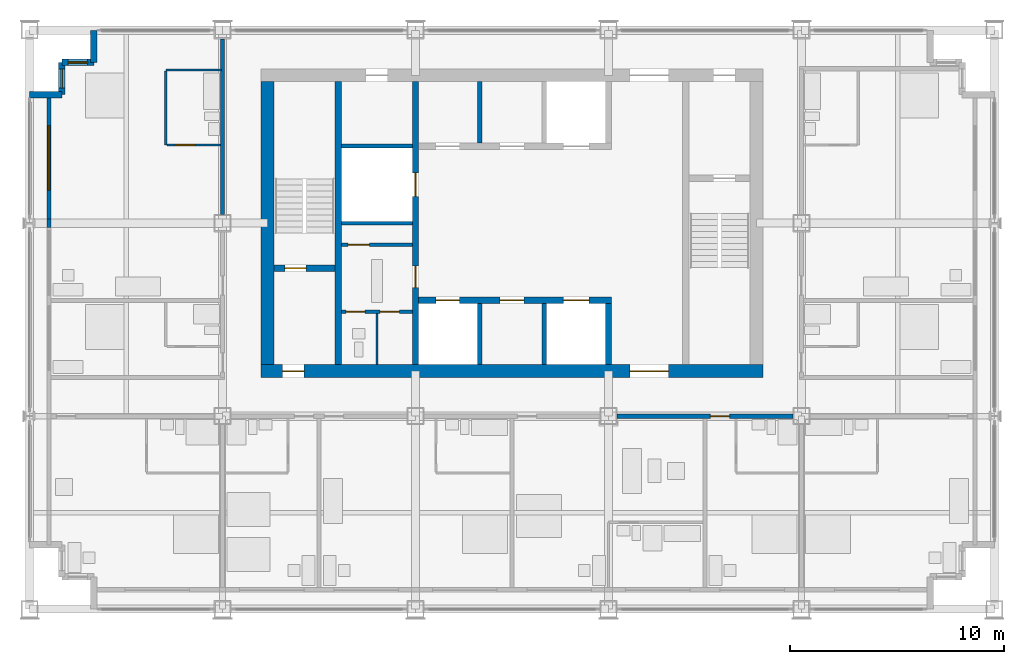
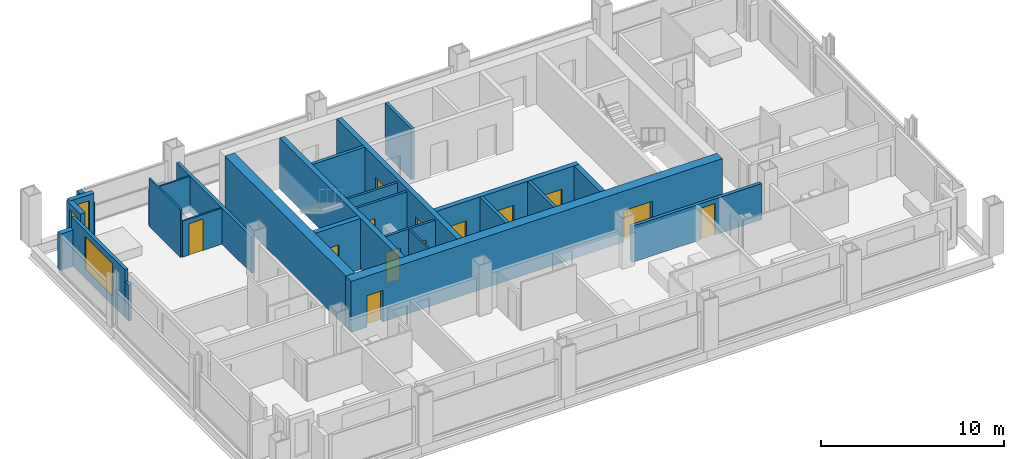
# One storey, part 8 of 13: 26 walls, 13 doors, 3 windows, 16 openings.
"""IFC4 building model written with IfcOpenShell, lengths in metres."""

import ifcopenshell
import ifcopenshell.guid

model = None  # the IFC model being written
_history = None  # IfcOwnerHistory: only IFC2X3 demands one
_inside = {}  # id of a spatial element -> (the spatial element, [elements in it])
_under = {}  # id of a project, library or spatial element -> (it, [spatial elements below it])
_declared = {}  # id of a project -> (the project, [libraries it declares])
_typed = {}  # id of a type object -> (the type object, [elements of that type])
_made_of = {}  # id of a material, layer set ... -> (it, [elements and type objects made of it])


def new_model(schema):
    """Start an empty IFC model of exactly this schema.

    Asked for "IFC4X3", IfcOpenShell would pick the latest addendum, in which some entities
    have other attributes; the version numbers below select the first issue.
    IFC2X3 requires an IfcOwnerHistory on every rooted entity: one is made here for all.
    """
    global model, _history
    if schema == "IFC4X3":
        model = ifcopenshell.file(schema_version=(4, 3, 0, 0))
    else:
        model = ifcopenshell.file(schema=schema)
    _inside.clear()
    _under.clear()
    _declared.clear()
    _typed.clear()
    _made_of.clear()
    _history = None
    if model.schema == "IFC2X3":
        org = make("IfcOrganization", Name="unknown")
        user = make(
            "IfcPersonAndOrganization",
            ThePerson=make("IfcPerson", FamilyName="unknown"),
            TheOrganization=org,
        )
        app = make(
            "IfcApplication",
            ApplicationDeveloper=org,
            Version="unknown",
            ApplicationFullName="unknown",
            ApplicationIdentifier="unknown",
        )
        _history = make(
            "IfcOwnerHistory",
            OwningUser=user,
            OwningApplication=app,
            ChangeAction="ADDED",
            CreationDate=0,
        )
    return model


def make(cls, **values):
    """One entity of the class cls with the attributes given. An attribute that is None is left unset."""
    return model.create_entity(
        cls, **{name: value for name, value in values.items() if value is not None}
    )


def rooted(cls, **values):
    """An entity with a GlobalId (a new one), such as an element, a storey or a relation."""
    return make(cls, GlobalId=ifcopenshell.guid.new(), OwnerHistory=_history, **values)


def si_unit(unit_type, name, prefix=None):
    """IfcSIUnit, for example si_unit("LENGTHUNIT", "METRE", prefix="MILLI")."""
    return make("IfcSIUnit", UnitType=unit_type, Prefix=prefix, Name=name)


def assignment(units):
    """IfcUnitAssignment: the units of a project."""
    return None if units is None else make("IfcUnitAssignment", Units=units)


def point(xyz):
    """IfcCartesianPoint."""
    return None if xyz is None else make("IfcCartesianPoint", Coordinates=xyz)


def direction(xyz):
    """IfcDirection."""
    return None if xyz is None else make("IfcDirection", DirectionRatios=xyz)


def frame(location, z_axis=None, x_axis=None):
    """IfcAxis2Placement3D, a coordinate frame: its origin and axes. An axis left out is left unset."""
    return make(
        "IfcAxis2Placement3D",
        Location=point(location),
        Axis=direction(z_axis),
        RefDirection=direction(x_axis),
    )


def frame_2d(location, x_axis=None):
    """IfcAxis2Placement2D, a coordinate frame in the plane: its origin and x axis."""
    return make(
        "IfcAxis2Placement2D", Location=point(location), RefDirection=direction(x_axis)
    )


def origin():
    """The frame at (0, 0, 0) with its axes left unset."""
    return frame((0.0, 0.0, 0.0))


def place(relative_to, where):
    """IfcLocalPlacement: puts the frame where relative to a parent placement (None: the world)."""
    return make(
        "IfcLocalPlacement", PlacementRelTo=relative_to, RelativePlacement=where
    )


def context(
    kind, dimensions, precision=None, world=None, true_north=None, identifier=None
):
    """IfcGeometricRepresentationContext, for example the 3D "Model" context."""
    return make(
        "IfcGeometricRepresentationContext",
        ContextIdentifier=identifier,
        ContextType=kind,
        CoordinateSpaceDimension=dimensions,
        Precision=precision,
        WorldCoordinateSystem=world,
        TrueNorth=true_north,
    )


def subcontext(parent, identifier, kind, view, scale=None):
    """IfcGeometricRepresentationSubContext, for example "Body" below "Model"."""
    return make(
        "IfcGeometricRepresentationSubContext",
        ContextIdentifier=identifier,
        ContextType=kind,
        ParentContext=parent,
        TargetScale=scale,
        TargetView=view,
    )


def project(units=None, contexts=None):
    """IfcProject with its units and contexts."""
    return rooted(
        "IfcProject",
        Name="project",
        RepresentationContexts=contexts,
        UnitsInContext=assignment(units),
    )


def spatial(cls, under=None, at=None, **own):
    """A site, building, storey or space (cls), placed at a placement, below another one or the project."""
    s = rooted(cls, ObjectPlacement=at, **own)
    if under is not None:
        _under.setdefault(under.id(), (under, []))[1].append(s)
    return s


def profile(cls, at=None, kind="AREA", **sizes):
    """A parametric profile (cls). Its sizes go by their IFC names, for example OverallWidth=200.0."""
    return make(cls, ProfileType=kind, Position=at, **sizes)


def rectangle(**sizes):
    """IfcRectangleProfileDef."""
    return profile("IfcRectangleProfileDef", **sizes)


def extrude(swept, where, along, depth):
    """IfcExtrudedAreaSolid: the profile swept, set in the frame where, extruded along a direction by depth."""
    return make(
        "IfcExtrudedAreaSolid",
        SweptArea=swept,
        Position=where,
        ExtrudedDirection=direction(along),
        Depth=depth,
    )


def shape(context_of_items, identifier, shape_type, items):
    """IfcShapeRepresentation: the items that make up one representation, for example the "Body"."""
    return make(
        "IfcShapeRepresentation",
        ContextOfItems=context_of_items,
        RepresentationIdentifier=identifier,
        RepresentationType=shape_type,
        Items=items,
    )


def material(Name=None, Category=None):
    """IfcMaterial."""
    return make("IfcMaterial", Name=Name, Category=Category)


def layer(
    of_material, thickness, ventilated=None, Name=None, Category=None, Priority=None
):
    """IfcMaterialLayer: one layer of a wall or slab, of a material (None: an air gap)."""
    return make(
        "IfcMaterialLayer",
        Material=of_material,
        LayerThickness=thickness,
        IsVentilated=ventilated,
        Name=Name,
        Category=Category,
        Priority=Priority,
    )


def layer_set(layers, Name=None):
    """IfcMaterialLayerSet."""
    return make("IfcMaterialLayerSet", MaterialLayers=layers, LayerSetName=Name)


def made_of(thing, what):
    """Note that an element or type object is made of a material, layer set ...; save() writes the relation."""
    if what is not None:
        _made_of.setdefault(what.id(), (what, []))[1].append(thing)
    return thing


def type_object(cls, material=None, **own):
    """A type object (cls), such as IfcWallType, which elements share."""
    return made_of(rooted(cls, **own), material)


def element(
    cls,
    number,
    at=None,
    inside=None,
    cuts=None,
    type_object=None,
    material=None,
    context=None,
    identifier="Body",
    shape_type=None,
    held_by="IfcProductDefinitionShape",
    body=None,
    shapes=None,
    **own,
):
    """One element of the class cls, such as IfcWall. Its Tag is "e" and its number.

    at: its placement. inside: the storey or other place that contains it. cuts: it is an
    opening in that element (IfcRelVoidsElement). A single representation is given by context,
    identifier, shape_type and body (its items); several are given by shapes. held_by: the class
    of the entity that holds the representations. save() writes the other relations.
    """
    e = rooted(cls, Tag="e%d" % number, ObjectPlacement=at, **own)
    if body is not None:
        shapes = [shape(context, identifier, shape_type, body)]
    if shapes is not None:
        e.Representation = make(held_by, Representations=shapes)
    if inside is not None:
        _inside.setdefault(inside.id(), (inside, []))[1].append(e)
    if cuts is not None:
        rooted(
            "IfcRelVoidsElement", RelatingBuildingElement=cuts, RelatedOpeningElement=e
        )
    if type_object is not None:
        _typed.setdefault(type_object.id(), (type_object, []))[1].append(e)
    return made_of(e, material)


def fill(opening, filler):
    """IfcRelFillsElement: the door or window that sits in an opening."""
    return rooted(
        "IfcRelFillsElement",
        RelatingOpeningElement=opening,
        RelatedBuildingElement=filler,
    )


def aggregate(whole, parts):
    """IfcRelAggregates: a whole, such as a stair, and the parts it consists of."""
    return rooted("IfcRelAggregates", RelatingObject=whole, RelatedObjects=parts)


def save(model, path):
    """Write the relations noted so far, then the file.

    IfcRelAggregates (storeys below a building ...), IfcRelContainedInSpatialStructure (elements
    in a storey), IfcRelDefinesByType, IfcRelAssociatesMaterial and IfcRelDeclares: one each for
    every whole, place, type object, material and project.
    """
    for whole, parts in _under.values():
        aggregate(whole, parts)
    for where, things in _inside.values():
        rooted(
            "IfcRelContainedInSpatialStructure",
            RelatedElements=things,
            RelatingStructure=where,
        )
    for kind, things in _typed.values():
        rooted("IfcRelDefinesByType", RelatedObjects=things, RelatingType=kind)
    for what, things in _made_of.values():
        rooted("IfcRelAssociatesMaterial", RelatedObjects=things, RelatingMaterial=what)
    for by, libraries in _declared.values():
        rooted("IfcRelDeclares", RelatingContext=by, RelatedDefinitions=libraries)
    model.write(path)


model = new_model("IFC4")

# Units and contexts
model_context = context("Model", 3, precision=1e-05, world=origin(), true_north=direction((0.0, 1.0)))
body_context = subcontext(model_context, "Body", "Model", "MODEL_VIEW")
ifc_project = project(units=[si_unit("LENGTHUNIT", "METRE"), si_unit("AREAUNIT", "SQUARE_METRE"), si_unit("VOLUMEUNIT", "CUBIC_METRE"), si_unit("PLANEANGLEUNIT", "RADIAN"), si_unit("MASSUNIT", "GRAM", prefix="KILO")], contexts=[model_context])

# Site, building, storey
site_placement = place(None, origin())
site = spatial("IfcSite", under=ifc_project, at=site_placement, CompositionType="ELEMENT")
building_placement = place(site_placement, origin())
building = spatial("IfcBuilding", under=site, at=building_placement, Name="Loomwork Tower", CompositionType="ELEMENT")
storey_placement = place(building_placement, frame((0.0, 0.0, 204.60009765625)))
storey = spatial("IfcBuildingStorey", under=building, at=storey_placement, Name="L56", CompositionType="ELEMENT", Elevation=204.60009765625)

# Wall
ifc_material_1 = material(Name="Concrete 14000 psi (97 MPa)", Category="concrete")
ifc_layer_1 = layer(ifc_material_1, 0.300048828125)
ifc_layer_set_1 = layer_set([ifc_layer_1], Name="Core shear wall 300")
wall_type_1 = type_object("IfcWallType", Name="Core shear wall 300", PredefinedType="SHEAR", material=ifc_layer_set_1)
wall_1_placement = place(storey_placement, frame((14.39990234375, 11.39990234375, 0.0), z_axis=(0.0, 0.0, 1.0), x_axis=(0.0, 1.0, 0.0)))
element("IfcWall", 1, at=wall_1_placement, inside=storey, type_object=wall_type_1, Name="Stair A east wall L56", PredefinedType="SHEAR", context=body_context, shape_type="SweptSolid", body=[
    extrude(rectangle(XDim=13.2001953125, YDim=0.300048828125, at=frame_2d((6.60009765625, 0.0))), origin(), (0.0, 0.0, 1.0), 3.39990234375),
])

# Wall, opening, door
wall_2_placement = place(storey_placement, frame((11.39990234375, 15.89990234375, 0.0), z_axis=(0.0, 0.0, 1.0), x_axis=(1.0, 0.0, 0.0)))
wall_2 = element("IfcWall", 2, at=wall_2_placement, inside=storey, type_object=wall_type_1, Name="Stair A south wall L56", PredefinedType="SHEAR", context=body_context, shape_type="SweptSolid", body=[
    extrude(rectangle(XDim=2.85009765625, YDim=0.300048828125, at=frame_2d((1.425048828125, 0.0))), origin(), (0.0, 0.0, 1.0), 3.39990234375),
])
opening_1_placement = place(wall_2_placement, frame((0.5, 0.0, 0.0)))
opening_1 = element("IfcOpeningElement", 3, at=opening_1_placement, cuts=wall_2, Name="Opening D4", PredefinedType="OPENING", context=body_context, shape_type="SweptSolid", body=[
    extrude(rectangle(XDim=1.0, YDim=2.10009765625, at=frame_2d((0.5, 1.050048828125))), frame((0.0, 0.159912109375, 0.0), z_axis=(0.0, -1.0, 0.0), x_axis=(1.0, 0.0, 0.0)), (0.0, 0.0, 1.0), 0.320068359375),
])
ifc_material_2 = material(Name="Hollow metal door and frame")
door_type_1 = type_object("IfcDoorType", Name="Stair door 1000", OperationType="SINGLE_SWING_RIGHT", PredefinedType="DOOR", material=ifc_material_2)
door_1_placement = place(opening_1_placement, origin())
door_1 = element("IfcDoor", 4, at=door_1_placement, inside=storey, type_object=door_type_1, Name="Stair A door", OperationType="SINGLE_SWING_LEFT", OverallHeight=2.10009765625, OverallWidth=1.0, PredefinedType="DOOR", context=body_context, shape_type="SweptSolid", body=[
    extrude(rectangle(XDim=1.0, YDim=2.10009765625, at=frame_2d((0.5, 1.050048828125))), frame((0.0, 0.02490234375, 0.0), z_axis=(0.0, -1.0, 0.0), x_axis=(1.0, 0.0, 0.0)), (0.0, 0.0, 1.0), 0.050048828125),
])
fill(opening_1, door_1)

# Wall, openings, doors
wall_3_placement = place(storey_placement, frame((18.0, 11.39990234375, 0.0), z_axis=(0.0, 0.0, 1.0), x_axis=(0.0, 1.0, 0.0)))
wall_3 = element("IfcWall", 5, at=wall_3_placement, inside=storey, type_object=wall_type_1, Name="Lobby west wall L56", PredefinedType="SHEAR", context=body_context, shape_type="SweptSolid", body=[
    extrude(rectangle(XDim=13.2001953125, YDim=0.300048828125, at=frame_2d((6.60009765625, 0.0))), origin(), (0.0, 0.0, 1.0), 3.39990234375),
])
opening_2_placement = place(wall_3_placement, frame((3.60009765625, 0.0, 0.0)))
opening_2 = element("IfcOpeningElement", 6, at=opening_2_placement, cuts=wall_3, Name="Opening D5", PredefinedType="OPENING", context=body_context, shape_type="SweptSolid", body=[
    extrude(rectangle(XDim=1.0, YDim=2.10009765625, at=frame_2d((0.5, 1.050048828125))), frame((0.0, 0.159912109375, 0.0), z_axis=(0.0, -1.0, 0.0), x_axis=(1.0, 0.0, 0.0)), (0.0, 0.0, 1.0), 0.320068359375),
])
opening_3_placement = place(wall_3_placement, frame((7.85009765625, 0.0, 0.0)))
opening_3 = element("IfcOpeningElement", 7, at=opening_3_placement, cuts=wall_3, Name="Opening LD1", PredefinedType="OPENING", context=body_context, shape_type="SweptSolid", body=[
    extrude(rectangle(XDim=1.10009765625, YDim=2.10009765625, at=frame_2d((0.550048828125, 1.050048828125))), frame((0.0, 0.159912109375, 0.0), z_axis=(0.0, -1.0, 0.0), x_axis=(1.0, 0.0, 0.0)), (0.0, 0.0, 1.0), 0.320068359375),
])
ifc_material_3 = material(Name="Hollow metal door and frame")
door_type_2 = type_object("IfcDoorType", Name="Lift landing door 1100", OperationType="SLIDING_TO_LEFT", PredefinedType="DOOR", material=ifc_material_3)
door_2_placement = place(opening_3_placement, origin())
door_2 = element("IfcDoor", 8, at=door_2_placement, inside=storey, type_object=door_type_2, Name="Lift landing door LC2", OperationType="SLIDING_TO_LEFT", OverallHeight=2.10009765625, OverallWidth=1.10009765625, PredefinedType="DOOR", context=body_context, shape_type="SweptSolid", body=[
    extrude(rectangle(XDim=1.10009765625, YDim=2.10009765625, at=frame_2d((0.550048828125, 1.050048828125))), frame((0.0, 0.02490234375, 0.0), z_axis=(0.0, -1.0, 0.0), x_axis=(1.0, 0.0, 0.0)), (0.0, 0.0, 1.0), 0.050048828125),
])
fill(opening_3, door_2)
ifc_material_4 = material(Name="Hollow metal door and frame")
door_type_3 = type_object("IfcDoorType", Name="Service door 1000", OperationType="SINGLE_SWING_LEFT", PredefinedType="DOOR", material=ifc_material_4)
door_3_placement = place(opening_2_placement, origin())
door_3 = element("IfcDoor", 9, at=door_3_placement, inside=storey, type_object=door_type_3, Name="Back-of-house door south", OperationType="SINGLE_SWING_LEFT", OverallHeight=2.10009765625, OverallWidth=1.0, PredefinedType="DOOR", context=body_context, shape_type="SweptSolid", body=[
    extrude(rectangle(XDim=1.0, YDim=2.10009765625, at=frame_2d((0.5, 1.050048828125))), frame((0.0, 0.02490234375, 0.0), z_axis=(0.0, -1.0, 0.0), x_axis=(1.0, 0.0, 0.0)), (0.0, 0.0, 1.0), 0.050048828125),
])
fill(opening_2, door_3)

wall_4_placement = place(storey_placement, frame((18.14990234375, 14.39990234375, 0.0), z_axis=(0.0, 0.0, 1.0), x_axis=(1.0, 0.0, 0.0)))
wall_4 = element("IfcWall", 10, at=wall_4_placement, inside=storey, type_object=wall_type_1, Name="Lift front wall south L56", PredefinedType="SHEAR", context=body_context, shape_type="SweptSolid", body=[
    extrude(rectangle(XDim=9.0, YDim=0.300048828125, at=frame_2d((4.5, 0.0))), origin(), (0.0, 0.0, 1.0), 3.39990234375),
])
opening_4_placement = place(wall_4_placement, frame((0.800048828125, 0.0, 0.0)))
opening_4 = element("IfcOpeningElement", 11, at=opening_4_placement, cuts=wall_4, Name="Opening LD1", PredefinedType="OPENING", context=body_context, shape_type="SweptSolid", body=[
    extrude(rectangle(XDim=1.10009765625, YDim=2.10009765625, at=frame_2d((0.550048828125, 1.050048828125))), frame((0.0, 0.159912109375, 0.0), z_axis=(0.0, -1.0, 0.0), x_axis=(1.0, 0.0, 0.0)), (0.0, 0.0, 1.0), 0.320068359375),
])
opening_5_placement = place(wall_4_placement, frame((6.75, 0.0, 0.0)))
opening_5 = element("IfcOpeningElement", 12, at=opening_5_placement, cuts=wall_4, Name="Opening LD2", PredefinedType="OPENING", context=body_context, shape_type="SweptSolid", body=[
    extrude(rectangle(XDim=1.199951171875, YDim=2.10009765625, at=frame_2d((0.60009765625, 1.050048828125))), frame((0.0, 0.159912109375, 0.0), z_axis=(0.0, -1.0, 0.0), x_axis=(1.0, 0.0, 0.0)), (0.0, 0.0, 1.0), 0.320068359375),
])
opening_6_placement = place(wall_4_placement, frame((3.800048828125, 0.0, 0.0)))
opening_6 = element("IfcOpeningElement", 13, at=opening_6_placement, cuts=wall_4, Name="Opening D17", PredefinedType="OPENING", context=body_context, shape_type="SweptSolid", body=[
    extrude(rectangle(XDim=1.10009765625, YDim=2.10009765625, at=frame_2d((0.550048828125, 1.050048828125))), frame((0.0, 0.159912109375, 0.0), z_axis=(0.0, -1.0, 0.0), x_axis=(1.0, 0.0, 0.0)), (0.0, 0.0, 1.0), 0.320068359375),
])
door_4_placement = place(opening_4_placement, origin())
door_4 = element("IfcDoor", 14, at=door_4_placement, inside=storey, type_object=door_type_2, Name="Lift landing door LC1", OperationType="SLIDING_TO_LEFT", OverallHeight=2.10009765625, OverallWidth=1.10009765625, PredefinedType="DOOR", context=body_context, shape_type="SweptSolid", body=[
    extrude(rectangle(XDim=1.10009765625, YDim=2.10009765625, at=frame_2d((0.550048828125, 1.050048828125))), frame((0.0, 0.02490234375, 0.0), z_axis=(0.0, -1.0, 0.0), x_axis=(1.0, 0.0, 0.0)), (0.0, 0.0, 1.0), 0.050048828125),
])
fill(opening_4, door_4)
ifc_material_5 = material(Name="Hollow metal door and frame")
door_type_4 = type_object("IfcDoorType", Name="Lift landing door 1200", OperationType="SLIDING_TO_LEFT", PredefinedType="DOOR", material=ifc_material_5)
door_5_placement = place(opening_5_placement, origin())
door_5 = element("IfcDoor", 15, at=door_5_placement, inside=storey, type_object=door_type_4, Name="Lift landing door LF1", OperationType="SLIDING_TO_LEFT", OverallHeight=2.10009765625, OverallWidth=1.199951171875, PredefinedType="DOOR", context=body_context, shape_type="SweptSolid", body=[
    extrude(rectangle(XDim=1.199951171875, YDim=2.10009765625, at=frame_2d((0.60009765625, 1.050048828125))), frame((0.0, 0.02490234375, 0.0), z_axis=(0.0, -1.0, 0.0), x_axis=(1.0, 0.0, 0.0)), (0.0, 0.0, 1.0), 0.050048828125),
])
fill(opening_5, door_5)
ifc_material_6 = material(Name="Hollow metal door and frame")
door_type_5 = type_object("IfcDoorType", Name="Service room door 1100", OperationType="SINGLE_SWING_LEFT", PredefinedType="DOOR", material=ifc_material_6)
door_6_placement = place(opening_6_placement, frame((1.10009765625, 0.0, 0.0), z_axis=(0.0, 0.0, 1.0), x_axis=(-1.0, 0.0, 0.0)))
door_6 = element("IfcDoor", 16, at=door_6_placement, inside=storey, type_object=door_type_5, Name="IT and communications room door L56", OperationType="SINGLE_SWING_RIGHT", OverallHeight=2.10009765625, OverallWidth=1.10009765625, PredefinedType="DOOR", context=body_context, shape_type="SweptSolid", body=[
    extrude(rectangle(XDim=1.10009765625, YDim=2.10009765625, at=frame_2d((0.550048828125, 1.050048828125))), frame((0.0, 0.02490234375, 0.0), z_axis=(0.0, -1.0, 0.0), x_axis=(1.0, 0.0, 0.0)), (0.0, 0.0, 1.0), 0.050048828125),
])
fill(opening_6, door_6)

# Wall
wall_5_placement = place(storey_placement, frame((27.0, 11.39990234375, 0.0), z_axis=(0.0, 0.0, 1.0), x_axis=(0.0, 1.0, 0.0)))
element("IfcWall", 17, at=wall_5_placement, inside=storey, type_object=wall_type_1, Name="Lift shaft end wall south L56", PredefinedType="SHEAR", context=body_context, shape_type="SweptSolid", body=[
    extrude(rectangle(XDim=2.85009765625, YDim=0.300048828125, at=frame_2d((1.425048828125, 0.0))), origin(), (0.0, 0.0, 1.0), 3.39990234375),
])

# Wall, openings, doors
ifc_material_7 = material(Name="Concrete 14000 psi (97 MPa)", Category="concrete")
ifc_layer_2 = layer(ifc_material_7, 0.60009765625)
ifc_layer_set_2 = layer_set([ifc_layer_2], Name="Core shear wall 600")
wall_type_2 = type_object("IfcWallType", Name="Core shear wall 600", PredefinedType="SHEAR", material=ifc_layer_set_2)
wall_6_placement = place(storey_placement, frame((10.800048828125, 11.10009765625, 0.0), z_axis=(0.0, 0.0, 1.0), x_axis=(1.0, 0.0, 0.0)))
wall_6 = element("IfcWall", 18, at=wall_6_placement, inside=storey, type_object=wall_type_2, Name="Core wall south L56", PredefinedType="SHEAR", context=body_context, shape_type="SweptSolid", body=[
    extrude(rectangle(XDim=23.39990234375, YDim=0.60009765625, at=frame_2d((11.699951171875, 0.0))), origin(), (0.0, 0.0, 1.0), 3.39990234375),
])
opening_7_placement = place(wall_6_placement, frame((1.0, 0.0, 0.0)))
opening_7 = element("IfcOpeningElement", 19, at=opening_7_placement, cuts=wall_6, Name="Opening D4", PredefinedType="OPENING", context=body_context, shape_type="SweptSolid", body=[
    extrude(rectangle(XDim=1.0, YDim=2.10009765625, at=frame_2d((0.5, 1.050048828125))), frame((0.0, 0.31005859375, 0.0), z_axis=(0.0, -1.0, 0.0), x_axis=(1.0, 0.0, 0.0)), (0.0, 0.0, 1.0), 0.6201171875),
])
opening_8_placement = place(wall_6_placement, frame((17.199951171875, 0.0, 0.0)))
opening_8 = element("IfcOpeningElement", 20, at=opening_8_placement, cuts=wall_6, Name="Opening D6", PredefinedType="OPENING", context=body_context, shape_type="SweptSolid", body=[
    extrude(rectangle(XDim=1.800048828125, YDim=2.10009765625, at=frame_2d((0.89990234375, 1.050048828125))), frame((0.0, 0.31005859375, 0.0), z_axis=(0.0, -1.0, 0.0), x_axis=(1.0, 0.0, 0.0)), (0.0, 0.0, 1.0), 0.6201171875),
])
ifc_material_8 = material(Name="Hollow metal door and frame")
door_type_6 = type_object("IfcDoorType", Name="Lobby passage double door 1800", OperationType="DOUBLE_DOOR_SINGLE_SWING", PredefinedType="DOOR", material=ifc_material_8)
door_7_placement = place(opening_8_placement, origin())
door_7 = element("IfcDoor", 21, at=door_7_placement, inside=storey, type_object=door_type_6, Name="Lobby passage door south", OperationType="DOUBLE_DOOR_SINGLE_SWING", OverallHeight=2.10009765625, OverallWidth=1.800048828125, PredefinedType="DOOR", context=body_context, shape_type="SweptSolid", body=[
    extrude(rectangle(XDim=1.800048828125, YDim=2.10009765625, at=frame_2d((0.89990234375, 1.050048828125))), frame((0.0, 0.02490234375, 0.0), z_axis=(0.0, -1.0, 0.0), x_axis=(1.0, 0.0, 0.0)), (0.0, 0.0, 1.0), 0.050048828125),
])
fill(opening_8, door_7)
door_8_placement = place(opening_7_placement, origin())
door_8 = element("IfcDoor", 22, at=door_8_placement, inside=storey, type_object=door_type_1, Name="Stair A vestibule door", OperationType="SINGLE_SWING_LEFT", OverallHeight=2.10009765625, OverallWidth=1.0, PredefinedType="DOOR", context=body_context, shape_type="SweptSolid", body=[
    extrude(rectangle(XDim=1.0, YDim=2.10009765625, at=frame_2d((0.5, 1.050048828125))), frame((0.0, 0.02490234375, 0.0), z_axis=(0.0, -1.0, 0.0), x_axis=(1.0, 0.0, 0.0)), (0.0, 0.0, 1.0), 0.050048828125),
])
fill(opening_7, door_8)

# Wall
wall_7_placement = place(storey_placement, frame((11.10009765625, 11.39990234375, 0.0), z_axis=(0.0, 0.0, 1.0), x_axis=(0.0, 1.0, 0.0)))
element("IfcWall", 23, at=wall_7_placement, inside=storey, type_object=wall_type_2, Name="Core wall west L56", PredefinedType="SHEAR", context=body_context, shape_type="SweptSolid", body=[
    extrude(rectangle(XDim=13.2001953125, YDim=0.60009765625, at=frame_2d((6.60009765625, 0.0))), origin(), (0.0, 0.0, 1.0), 3.39990234375),
])

# Wall, opening, door
ifc_material_9 = material(Name="Gypsum board on steel studs, one-hour", Category="steel")
ifc_layer_3 = layer(ifc_material_9, 0.199951171875)
ifc_layer_set_3 = layer_set([ifc_layer_3], Name="Corridor wall 200")
wall_type_3 = type_object("IfcWallType", Name="Corridor wall 200", PredefinedType="PARTITIONING", material=ifc_layer_set_3)
wall_8_placement = place(storey_placement, frame((27.39990234375, 9.0, 0.0), z_axis=(0.0, 0.0, 1.0), x_axis=(1.0, 0.0, 0.0)))
wall_8 = element("IfcWall", 24, at=wall_8_placement, inside=storey, type_object=wall_type_3, Name="South corridor wall 4", PredefinedType="PARTITIONING", context=body_context, shape_type="SweptSolid", body=[
    extrude(rectangle(XDim=8.2001953125, YDim=0.199951171875, at=frame_2d((4.10009765625, 0.0))), origin(), (0.0, 0.0, 1.0), 2.40478515625),
])
opening_9_placement = place(wall_8_placement, frame((4.35009765625, 0.0, 0.0)))
opening_9 = element("IfcOpeningElement", 25, at=opening_9_placement, cuts=wall_8, Name="Opening D1", PredefinedType="OPENING", context=body_context, shape_type="SweptSolid", body=[
    extrude(rectangle(XDim=0.89990234375, YDim=2.10009765625, at=frame_2d((0.449951171875, 1.050048828125))), frame((0.0, 0.10986328125, 0.0), z_axis=(0.0, -1.0, 0.0), x_axis=(1.0, 0.0, 0.0)), (0.0, 0.0, 1.0), 0.219970703125),
])
ifc_material_10 = material(Name="Hollow metal door and frame")
door_type_7 = type_object("IfcDoorType", Name="Guest room entry door 900", OperationType="SINGLE_SWING_LEFT", PredefinedType="DOOR", material=ifc_material_10)
door_9_placement = place(opening_9_placement, frame((0.89990234375, 0.0, 0.0), z_axis=(0.0, 0.0, 1.0), x_axis=(-1.0, 0.0, 0.0)))
door_9 = element("IfcDoor", 26, at=door_9_placement, inside=storey, type_object=door_type_7, Name="Guest room entry door L56 5", OperationType="SINGLE_SWING_RIGHT", OverallHeight=2.10009765625, OverallWidth=0.89990234375, PredefinedType="DOOR", context=body_context, shape_type="SweptSolid", body=[
    extrude(rectangle(XDim=0.89990234375, YDim=2.10009765625, at=frame_2d((0.449951171875, 1.050048828125))), frame((0.0, 0.02490234375, 0.0), z_axis=(0.0, -1.0, 0.0), x_axis=(1.0, 0.0, 0.0)), (0.0, 0.0, 1.0), 0.050048828125),
])
fill(opening_9, door_9)

# Walls
wall_9_placement = place(storey_placement, frame((9.0, 18.39990234375, 0.0), z_axis=(0.0, 0.0, 1.0), x_axis=(0.0, 1.0, 0.0)))
element("IfcWall", 27, at=wall_9_placement, inside=storey, type_object=wall_type_3, Name="West corridor wall 2", PredefinedType="PARTITIONING", context=body_context, shape_type="SweptSolid", body=[
    extrude(rectangle(XDim=8.2001953125, YDim=0.199951171875, at=frame_2d((4.10009765625, 0.0))), origin(), (0.0, 0.0, 1.0), 2.40478515625),
])
ifc_material_11 = material(Name="Cement board on steel studs", Category="steel")
ifc_layer_4 = layer(ifc_material_11, 0.10009765625)
ifc_layer_set_4 = layer_set([ifc_layer_4], Name="En-suite partition 100")
wall_type_4 = type_object("IfcWallType", Name="En-suite partition 100", PredefinedType="PARTITIONING", material=ifc_layer_set_4)
wall_10_placement = place(storey_placement, frame((6.35009765625, 21.64990234375, 0.0), z_axis=(0.0, 0.0, 1.0), x_axis=(0.0, 1.0, 0.0)))
element("IfcWall", 28, at=wall_10_placement, inside=storey, type_object=wall_type_4, Name="En-suite wall L56 room 8", PredefinedType="PARTITIONING", context=body_context, shape_type="SweptSolid", body=[
    extrude(rectangle(XDim=3.4501953125, YDim=0.10009765625, at=frame_2d((1.72509765625, 0.0))), origin(), (0.0, 0.0, 1.0), 3.199951171875),
])

# Wall, opening, door
wall_11_placement = place(storey_placement, frame((8.89990234375, 21.64990234375, 0.0), z_axis=(0.0, 0.0, 1.0), x_axis=(-1.0, 0.0, 0.0)))
wall_11 = element("IfcWall", 29, at=wall_11_placement, inside=storey, type_object=wall_type_4, Name="En-suite side wall L56 room 8", PredefinedType="PARTITIONING", context=body_context, shape_type="SweptSolid", body=[
    extrude(rectangle(XDim=2.5, YDim=0.10009765625, at=frame_2d((1.25, 0.0))), origin(), (0.0, 0.0, 1.0), 2.40380859375),
])
opening_10_placement = place(wall_11_placement, frame((1.199951171875, 0.0, 0.0)))
opening_10 = element("IfcOpeningElement", 30, at=opening_10_placement, cuts=wall_11, Name="Opening D2", PredefinedType="OPENING", context=body_context, shape_type="SweptSolid", body=[
    extrude(rectangle(XDim=0.89990234375, YDim=2.10009765625, at=frame_2d((0.449951171875, 1.050048828125))), frame((0.0, 0.06005859375, 0.0), z_axis=(0.0, -1.0, 0.0), x_axis=(1.0, 0.0, 0.0)), (0.0, 0.0, 1.0), 0.1201171875),
])
ifc_material_12 = material(Name="Hollow metal door and frame")
door_type_8 = type_object("IfcDoorType", Name="En-suite door 900", OperationType="SINGLE_SWING_LEFT", PredefinedType="DOOR", material=ifc_material_12)
door_10_placement = place(opening_10_placement, frame((0.89990234375, 0.0, 0.0), z_axis=(0.0, 0.0, 1.0), x_axis=(-1.0, 0.0, 0.0)))
door_10 = element("IfcDoor", 31, at=door_10_placement, inside=storey, type_object=door_type_8, Name="En-suite door room 8", OperationType="SINGLE_SWING_LEFT", OverallHeight=2.10009765625, OverallWidth=0.89990234375, PredefinedType="DOOR", context=body_context, shape_type="SweptSolid", body=[
    extrude(rectangle(XDim=0.89990234375, YDim=2.10009765625, at=frame_2d((0.449951171875, 1.050048828125))), frame((0.0, 0.02490234375, 0.0), z_axis=(0.0, -1.0, 0.0), x_axis=(1.0, 0.0, 0.0)), (0.0, 0.0, 1.0), 0.050048828125),
])
fill(opening_10, door_10)

# Walls
wall_12_placement = place(storey_placement, frame((6.35009765625, 25.14990234375, 0.0), z_axis=(0.0, 0.0, 1.0), x_axis=(1.0, 0.0, 0.0)))
element("IfcWall", 32, at=wall_12_placement, inside=storey, type_object=wall_type_4, Name="En-suite wall L56 stub", PredefinedType="PARTITIONING", context=body_context, shape_type="SweptSolid", body=[
    extrude(rectangle(XDim=2.599853515625, YDim=0.10009765625, at=frame_2d((1.2998046875, 0.0))), origin(), (0.0, 0.0, 1.0), 2.40380859375),
])
wall_13_placement = place(storey_placement, frame((16.199951171875, 11.39990234375, 0.0), z_axis=(0.0, 0.0, 1.0), x_axis=(0.0, 1.0, 0.0)))
element("IfcWall", 33, at=wall_13_placement, inside=storey, type_object=wall_type_4, Name="Back-of-house partition L56 2", PredefinedType="PARTITIONING", context=body_context, shape_type="SweptSolid", body=[
    extrude(rectangle(XDim=2.400146484375, YDim=0.10009765625, at=frame_2d((1.2001953125, 0.0))), origin(), (0.0, 0.0, 1.0), 3.199951171875),
])
ifc_material_13 = material(Name="Insulated steel stud wall with gypsum lining", Category="steel")
ifc_layer_5 = layer(ifc_material_13, 0.199951171875)
ifc_layer_set_5 = layer_set([ifc_layer_5], Name="Inner skin wall 200")
wall_type_5 = type_object("IfcWallType", Name="Inner skin wall 200", PredefinedType="SOLIDWALL", material=ifc_layer_set_5)
wall_14_placement = place(storey_placement, frame((0.89990234375, 17.80615234375, 0.0), z_axis=(0.0, 0.0, 1.0), x_axis=(0.0, 1.0, 0.0)))
element("IfcWall", 34, at=wall_14_placement, inside=storey, type_object=wall_type_5, Name="Inner skin wall W bay 6", PredefinedType="SOLIDWALL", context=body_context, shape_type="SweptSolid", body=[
    extrude(rectangle(XDim=0.3876953125, YDim=0.199951171875, at=frame_2d((0.19384765625, 0.0))), origin(), (0.0, 0.0, 1.0), 2.40380859375),
])

# Wall, opening, window
wall_15_placement = place(storey_placement, frame((0.89990234375, 18.19384765625, 0.0), z_axis=(0.0, 0.0, 1.0), x_axis=(0.0, 1.0, 0.0)))
wall_15 = element("IfcWall", 35, at=wall_15_placement, inside=storey, type_object=wall_type_5, Name="Inner skin wall W bay 7", PredefinedType="SOLIDWALL", context=body_context, shape_type="SweptSolid", body=[
    extrude(rectangle(XDim=5.80615234375, YDim=0.199951171875, at=frame_2d((2.903076171875, 0.0))), origin(), (0.0, 0.0, 1.0), 3.199951171875),
])
opening_11_placement = place(wall_15_placement, frame((1.356201171875, 0.0, 0.60009765625)))
opening_11 = element("IfcOpeningElement", 36, at=opening_11_placement, cuts=wall_15, Name="Opening CH1", PredefinedType="OPENING", context=body_context, shape_type="SweptSolid", body=[
    extrude(rectangle(XDim=3.0, YDim=2.199951171875, at=frame_2d((1.5, 1.10009765625))), frame((0.0, 0.10986328125, 0.0), z_axis=(0.0, -1.0, 0.0), x_axis=(1.0, 0.0, 0.0)), (0.0, 0.0, 1.0), 0.219970703125),
])
ifc_material_14 = material(Name="Aluminium frame with clear insulated glass", Category="aluminium")
window_type_1 = type_object("IfcWindowType", Name="Chicago window 3000", PartitioningType="TRIPLE_PANEL_VERTICAL", PredefinedType="WINDOW", material=ifc_material_14)
window_1_placement = place(opening_11_placement, origin())
window_1 = element("IfcWindow", 37, at=window_1_placement, inside=storey, type_object=window_type_1, Name="Chicago window L56 bay 7", OverallHeight=2.199951171875, OverallWidth=3.0, PartitioningType="TRIPLE_PANEL_VERTICAL", PredefinedType="WINDOW", context=body_context, shape_type="SweptSolid", body=[
    extrude(rectangle(XDim=3.0, YDim=2.199951171875, at=frame_2d((1.5, 1.10009765625))), frame((0.0, 0.030029296875, 0.0), z_axis=(0.0, -1.0, 0.0), x_axis=(1.0, 0.0, 0.0)), (0.0, 0.0, 1.0), 0.06005859375),
])
fill(opening_11, window_1)

# Walls
ifc_material_15 = material(Name="Concrete 14000 psi (97 MPa)", Category="concrete")
ifc_layer_6 = layer(ifc_material_15, 0.199951171875)
ifc_layer_set_6 = layer_set([ifc_layer_6], Name="Lift shaft wall 200")
wall_type_6 = type_object("IfcWallType", Name="Lift shaft wall 200", PredefinedType="SHEAR", material=ifc_layer_set_6)
for number, where, z_axis, x_axis, name in (
    (38, (21.0, 11.39990234375, 0.0), (0.0, 0.0, 1.0), (0.0, 1.0, 0.0), "Lift shaft separation wall south 1 L56"),
    (39, (24.0, 11.39990234375, 0.0), (0.0, 0.0, 1.0), (0.0, 1.0, 0.0), "Lift shaft separation wall south 2 L56"),
    (40, (21.0, 21.75, 0.0), (0.0, 0.0, 1.0), (0.0, 1.0, 0.0), "Lift shaft separation wall north 1 L56"),
):
    element("IfcWall", number, at=place(storey_placement, frame(where, z_axis=z_axis, x_axis=x_axis)), inside=storey, type_object=wall_type_6, Name=name, PredefinedType="SHEAR", context=body_context, shape_type="SweptSolid", body=[
        extrude(rectangle(XDim=2.85009765625, YDim=0.199951171875, at=frame_2d((1.425048828125, 0.0))), origin(), (0.0, 0.0, 1.0), 3.39990234375),
    ])
wall_16_placement = place(storey_placement, frame((14.550048828125, 21.60009765625, 0.0), z_axis=(0.0, 0.0, 1.0), x_axis=(1.0, 0.0, 0.0)))
element("IfcWall", 41, at=wall_16_placement, inside=storey, type_object=wall_type_6, Name="Lift shaft wall west north L56", PredefinedType="SHEAR", context=body_context, shape_type="SweptSolid", body=[
    extrude(rectangle(XDim=3.300048828125, YDim=0.199951171875, at=frame_2d((1.64990234375, 0.0))), origin(), (0.0, 0.0, 1.0), 3.39990234375),
])
ifc_material_16 = material(Name="Limestone on concrete masonry", Category="masonry")
ifc_layer_7 = layer(ifc_material_16, 0.300048828125)
ifc_layer_set_7 = layer_set([ifc_layer_7], Name="Limestone corner wall 300")
wall_type_7 = type_object("IfcWallType", Name="Limestone corner wall 300", PredefinedType="SOLIDWALL", material=ifc_layer_set_7)
wall_17_placement = place(storey_placement, frame((3.0, 27.0, 0.0), z_axis=(0.0, 0.0, 1.0), x_axis=(0.0, -1.0, 0.0)))
element("IfcWall", 42, at=wall_17_placement, inside=storey, type_object=wall_type_7, Name="Stone corner wall NW 1", PredefinedType="SOLIDWALL", context=body_context, shape_type="SweptSolid", body=[
    extrude(rectangle(XDim=1.5, YDim=0.300048828125, at=frame_2d((0.75, 0.0))), origin(), (0.0, 0.0, 1.0), 2.419921875),
])

# Wall, opening, window
wall_18_placement = place(storey_placement, frame((3.0, 25.5, 0.0), z_axis=(0.0, 0.0, 1.0), x_axis=(-1.0, 0.0, 0.0)))
wall_18 = element("IfcWall", 43, at=wall_18_placement, inside=storey, type_object=wall_type_7, Name="Stone corner wall NW 2", PredefinedType="SOLIDWALL", context=body_context, shape_type="SweptSolid", body=[
    extrude(rectangle(XDim=1.5, YDim=0.300048828125, at=frame_2d((0.75, 0.0))), origin(), (0.0, 0.0, 1.0), 3.199951171875),
])
opening_12_placement = place(wall_18_placement, frame((0.300048828125, 0.0, 0.60009765625)))
opening_12 = element("IfcOpeningElement", 44, at=opening_12_placement, cuts=wall_18, Name="Opening CH2", PredefinedType="OPENING", context=body_context, shape_type="SweptSolid", body=[
    extrude(rectangle(XDim=0.89990234375, YDim=2.199951171875, at=frame_2d((0.449951171875, 1.10009765625))), frame((0.0, 0.159912109375, 0.0), z_axis=(0.0, -1.0, 0.0), x_axis=(1.0, 0.0, 0.0)), (0.0, 0.0, 1.0), 0.320068359375),
])
ifc_material_17 = material(Name="Aluminium frame with clear insulated glass", Category="aluminium")
window_type_2 = type_object("IfcWindowType", Name="Corner window 900", PartitioningType="SINGLE_PANEL", PredefinedType="WINDOW", material=ifc_material_17)
window_2_placement = place(opening_12_placement, origin())
window_2 = element("IfcWindow", 45, at=window_2_placement, inside=storey, type_object=window_type_2, Name="Corner window NW", OverallHeight=2.199951171875, OverallWidth=0.89990234375, PartitioningType="SINGLE_PANEL", PredefinedType="WINDOW", context=body_context, shape_type="SweptSolid", body=[
    extrude(rectangle(XDim=0.89990234375, YDim=2.199951171875, at=frame_2d((0.449951171875, 1.10009765625))), frame((0.0, 0.030029296875, 0.0), z_axis=(0.0, -1.0, 0.0), x_axis=(1.0, 0.0, 0.0)), (0.0, 0.0, 1.0), 0.06005859375),
])
fill(opening_12, window_2)

wall_19_placement = place(storey_placement, frame((1.5, 25.5, 0.0), z_axis=(0.0, 0.0, 1.0), x_axis=(0.0, -1.0, 0.0)))
wall_19 = element("IfcWall", 46, at=wall_19_placement, inside=storey, type_object=wall_type_7, Name="Stone corner wall NW 3", PredefinedType="SOLIDWALL", context=body_context, shape_type="SweptSolid", body=[
    extrude(rectangle(XDim=1.5, YDim=0.300048828125, at=frame_2d((0.75, 0.0))), origin(), (0.0, 0.0, 1.0), 3.199951171875),
])
opening_13_placement = place(wall_19_placement, frame((0.300048828125, 0.0, 0.60009765625)))
opening_13 = element("IfcOpeningElement", 47, at=opening_13_placement, cuts=wall_19, Name="Opening CH2", PredefinedType="OPENING", context=body_context, shape_type="SweptSolid", body=[
    extrude(rectangle(XDim=0.89990234375, YDim=2.199951171875, at=frame_2d((0.449951171875, 1.10009765625))), frame((0.0, 0.159912109375, 0.0), z_axis=(0.0, -1.0, 0.0), x_axis=(1.0, 0.0, 0.0)), (0.0, 0.0, 1.0), 0.320068359375),
])
window_3_placement = place(opening_13_placement, origin())
window_3 = element("IfcWindow", 48, at=window_3_placement, inside=storey, type_object=window_type_2, Name="Corner window NW", OverallHeight=2.199951171875, OverallWidth=0.89990234375, PartitioningType="SINGLE_PANEL", PredefinedType="WINDOW", context=body_context, shape_type="SweptSolid", body=[
    extrude(rectangle(XDim=0.89990234375, YDim=2.199951171875, at=frame_2d((0.449951171875, 1.10009765625))), frame((0.0, 0.030029296875, 0.0), z_axis=(0.0, -1.0, 0.0), x_axis=(1.0, 0.0, 0.0)), (0.0, 0.0, 1.0), 0.06005859375),
])
fill(opening_13, window_3)

# Walls
wall_20_placement = place(storey_placement, frame((1.5, 24.0, 0.0), z_axis=(0.0, 0.0, 1.0), x_axis=(-1.0, 0.0, 0.0)))
element("IfcWall", 49, at=wall_20_placement, inside=storey, type_object=wall_type_7, Name="Stone corner wall NW 4", PredefinedType="SOLIDWALL", context=body_context, shape_type="SweptSolid", body=[
    extrude(rectangle(XDim=1.5, YDim=0.300048828125, at=frame_2d((0.75, 0.0))), origin(), (0.0, 0.0, 1.0), 2.419921875),
])
ifc_material_18 = material(Name="Gypsum board on steel studs", Category="steel")
ifc_layer_8 = layer(ifc_material_18, 0.14990234375)
ifc_layer_set_8 = layer_set([ifc_layer_8], Name="Partition 150 two-hour")
wall_type_8 = type_object("IfcWallType", Name="Partition 150 two-hour", PredefinedType="PARTITIONING", material=ifc_layer_set_8)
wall_21_placement = place(storey_placement, frame((14.550048828125, 18.0, 0.0), z_axis=(0.0, 0.0, 1.0), x_axis=(1.0, 0.0, 0.0)))
element("IfcWall", 50, at=wall_21_placement, inside=storey, type_object=wall_type_8, Name="Back-of-house dividing wall L56", PredefinedType="PARTITIONING", context=body_context, shape_type="SweptSolid", body=[
    extrude(rectangle(XDim=3.300048828125, YDim=0.14990234375, at=frame_2d((1.64990234375, 0.0))), origin(), (0.0, 0.0, 1.0), 3.199951171875),
])

# Wall, opening, door
ifc_material_19 = material(Name="Gypsum board on steel studs, one-hour", Category="steel")
ifc_layer_9 = layer(ifc_material_19, 0.14990234375)
ifc_layer_set_9 = layer_set([ifc_layer_9], Name="Service partition 150")
wall_type_9 = type_object("IfcWallType", Name="Service partition 150", PredefinedType="PARTITIONING", material=ifc_layer_set_9)
wall_22_placement = place(storey_placement, frame((14.550048828125, 17.0, 0.0), z_axis=(0.0, 0.0, 1.0), x_axis=(1.0, 0.0, 0.0)))
wall_22 = element("IfcWall", 51, at=wall_22_placement, inside=storey, type_object=wall_type_9, Name="Riser enclosure L56", PredefinedType="PARTITIONING", context=body_context, shape_type="SweptSolid", body=[
    extrude(rectangle(XDim=3.300048828125, YDim=0.14990234375, at=frame_2d((1.64990234375, 0.0))), origin(), (0.0, 0.0, 1.0), 3.199951171875),
])
opening_14_placement = place(wall_22_placement, frame((0.300048828125, 0.0, 0.0)))
opening_14 = element("IfcOpeningElement", 52, at=opening_14_placement, cuts=wall_22, Name="Opening D18", PredefinedType="OPENING", context=body_context, shape_type="SweptSolid", body=[
    extrude(rectangle(XDim=1.0, YDim=2.10009765625, at=frame_2d((0.5, 1.050048828125))), frame((0.0, 0.0849609375, 0.0), z_axis=(0.0, -1.0, 0.0), x_axis=(1.0, 0.0, 0.0)), (0.0, 0.0, 1.0), 0.169921875),
])
ifc_material_20 = material(Name="Hollow metal door and frame")
door_type_9 = type_object("IfcDoorType", Name="Ninety-minute service door 1000", OperationType="SINGLE_SWING_LEFT", PredefinedType="DOOR", material=ifc_material_20)
door_11_placement = place(opening_14_placement, frame((1.0, 0.0, 0.0), z_axis=(0.0, 0.0, 1.0), x_axis=(-1.0, 0.0, 0.0)))
door_11 = element("IfcDoor", 53, at=door_11_placement, inside=storey, type_object=door_type_9, Name="Riser access door", OperationType="SINGLE_SWING_RIGHT", OverallHeight=2.10009765625, OverallWidth=1.0, PredefinedType="DOOR", context=body_context, shape_type="SweptSolid", body=[
    extrude(rectangle(XDim=1.0, YDim=2.10009765625, at=frame_2d((0.5, 1.050048828125))), frame((0.0, 0.02490234375, 0.0), z_axis=(0.0, -1.0, 0.0), x_axis=(1.0, 0.0, 0.0)), (0.0, 0.0, 1.0), 0.050048828125),
])
fill(opening_14, door_11)

# Wall, openings, doors
wall_23_placement = place(storey_placement, frame((14.550048828125, 13.875, 0.0), z_axis=(0.0, 0.0, 1.0), x_axis=(1.0, 0.0, 0.0)))
wall_23 = element("IfcWall", 54, at=wall_23_placement, inside=storey, type_object=wall_type_9, Name="Back-of-house partition L56", PredefinedType="PARTITIONING", context=body_context, shape_type="SweptSolid", body=[
    extrude(rectangle(XDim=3.300048828125, YDim=0.14990234375, at=frame_2d((1.64990234375, 0.0))), origin(), (0.0, 0.0, 1.0), 3.199951171875),
])
opening_15_placement = place(wall_23_placement, frame((0.199951171875, 0.0, 0.0)))
opening_15 = element("IfcOpeningElement", 55, at=opening_15_placement, cuts=wall_23, Name="Opening D20", PredefinedType="OPENING", context=body_context, shape_type="SweptSolid", body=[
    extrude(rectangle(XDim=0.89990234375, YDim=2.10009765625, at=frame_2d((0.449951171875, 1.050048828125))), frame((0.0, 0.0849609375, 0.0), z_axis=(0.0, -1.0, 0.0), x_axis=(1.0, 0.0, 0.0)), (0.0, 0.0, 1.0), 0.169921875),
])
opening_16_placement = place(wall_23_placement, frame((1.800048828125, 0.0, 0.0)))
opening_16 = element("IfcOpeningElement", 56, at=opening_16_placement, cuts=wall_23, Name="Opening D20", PredefinedType="OPENING", context=body_context, shape_type="SweptSolid", body=[
    extrude(rectangle(XDim=0.89990234375, YDim=2.10009765625, at=frame_2d((0.449951171875, 1.050048828125))), frame((0.0, 0.0849609375, 0.0), z_axis=(0.0, -1.0, 0.0), x_axis=(1.0, 0.0, 0.0)), (0.0, 0.0, 1.0), 0.169921875),
])
ifc_material_21 = material(Name="Hollow metal door and frame")
door_type_10 = type_object("IfcDoorType", Name="Back-of-house door 900", OperationType="SINGLE_SWING_LEFT", PredefinedType="DOOR", material=ifc_material_21)
door_12_placement = place(opening_15_placement, frame((0.89990234375, 0.0, 0.0), z_axis=(0.0, 0.0, 1.0), x_axis=(-1.0, 0.0, 0.0)))
door_12 = element("IfcDoor", 57, at=door_12_placement, inside=storey, type_object=door_type_10, Name="Back-of-house room door", OperationType="SINGLE_SWING_RIGHT", OverallHeight=2.10009765625, OverallWidth=0.89990234375, PredefinedType="DOOR", context=body_context, shape_type="SweptSolid", body=[
    extrude(rectangle(XDim=0.89990234375, YDim=2.10009765625, at=frame_2d((0.449951171875, 1.050048828125))), frame((0.0, 0.02490234375, 0.0), z_axis=(0.0, -1.0, 0.0), x_axis=(1.0, 0.0, 0.0)), (0.0, 0.0, 1.0), 0.050048828125),
])
fill(opening_15, door_12)
door_13_placement = place(opening_16_placement, frame((0.89990234375, 0.0, 0.0), z_axis=(0.0, 0.0, 1.0), x_axis=(-1.0, 0.0, 0.0)))
door_13 = element("IfcDoor", 58, at=door_13_placement, inside=storey, type_object=door_type_10, Name="Back-of-house room door", OperationType="SINGLE_SWING_RIGHT", OverallHeight=2.10009765625, OverallWidth=0.89990234375, PredefinedType="DOOR", context=body_context, shape_type="SweptSolid", body=[
    extrude(rectangle(XDim=0.89990234375, YDim=2.10009765625, at=frame_2d((0.449951171875, 1.050048828125))), frame((0.0, 0.02490234375, 0.0), z_axis=(0.0, -1.0, 0.0), x_axis=(1.0, 0.0, 0.0)), (0.0, 0.0, 1.0), 0.050048828125),
])
fill(opening_16, door_13)

save(model, "model.ifc")
